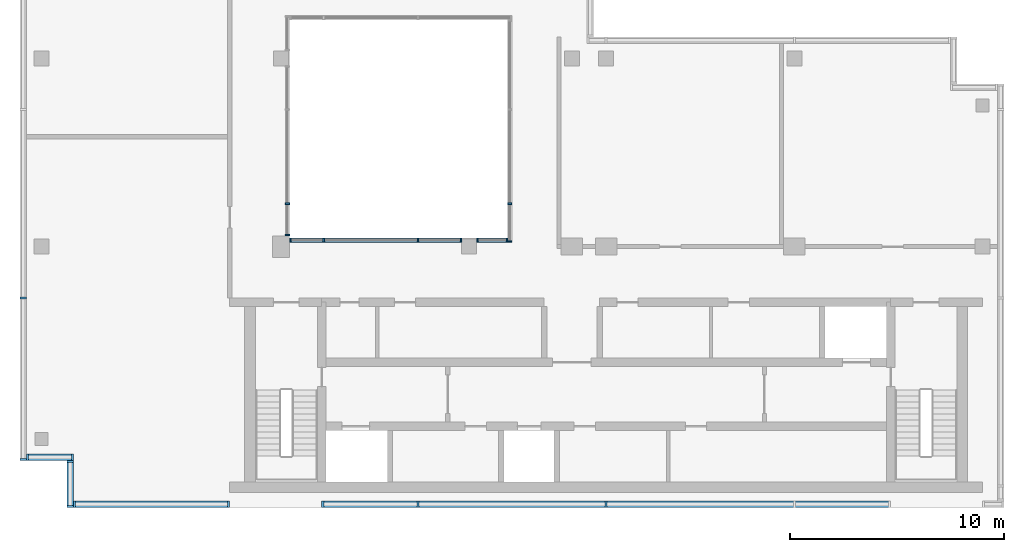
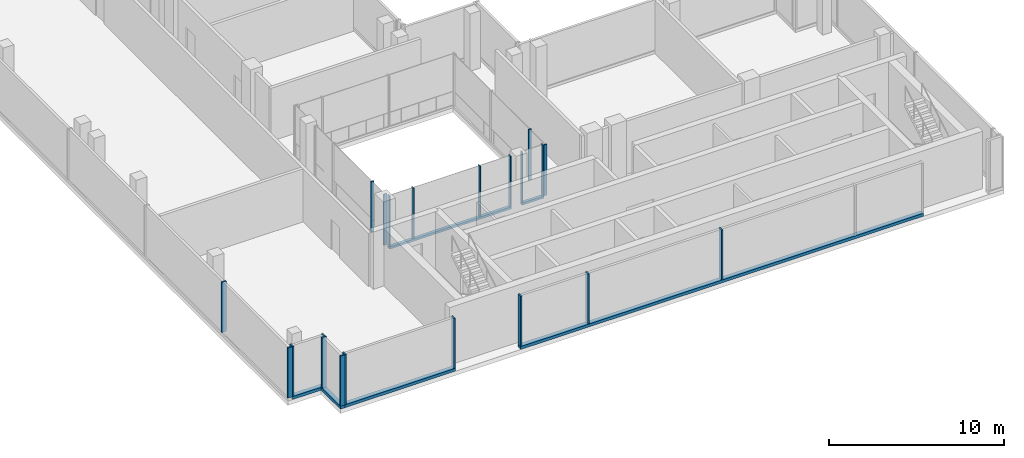
# One storey, part 2 of 11: 27 members, 9 elements without a shape of their own.
"""IFC4 building model written with IfcOpenShell, lengths in metres."""

from ifc_helpers import new_model, si_unit, direction, frame, origin, origin_2d, place, context, subcontext, project, spatial, rectangle, extrude, source, transform, mapped, material, material_profile, profile_set, type_object, element, aggregate, save


model = new_model("IFC4")

# Units and contexts
model_context = context("Model", 3, precision=1e-05, world=origin(), true_north=direction((0.0, 1.0)))
body_context = subcontext(model_context, "Body", "Model", "MODEL_VIEW")
ifc_project = project(units=[si_unit("LENGTHUNIT", "METRE"), si_unit("AREAUNIT", "SQUARE_METRE"), si_unit("VOLUMEUNIT", "CUBIC_METRE"), si_unit("PLANEANGLEUNIT", "RADIAN"), si_unit("MASSUNIT", "GRAM", prefix="KILO")], contexts=[model_context])

# Site, building, storey
site_placement = place(None, origin())
site = spatial("IfcSite", under=ifc_project, at=site_placement, CompositionType="ELEMENT")
building_placement = place(site_placement, origin())
building = spatial("IfcBuilding", under=site, at=building_placement, Name="Kemantara Hotel Tower", CompositionType="ELEMENT")
storey_placement = place(building_placement, frame((0.0, 0.0, 326.199951171875)))
storey = spatial("IfcBuildingStorey", under=building, at=storey_placement, Name="L82", CompositionType="ELEMENT", Elevation=326.199951171875)

# Curtain wall, member
ifc_material_1 = material(Name="Clear low-iron laminated glass 36 mm", Category="glass")
curtain_wall_type_1 = type_object("IfcCurtainWallType", Name="ATRIUM GLAZING WALL", PredefinedType="USERDEFINED", material=ifc_material_1)
curtain_wall_1_placement = place(storey_placement, origin())
curtain_wall_1 = element("IfcCurtainWall", 1, at=curtain_wall_1_placement, inside=storey, type_object=curtain_wall_type_1, Name="CW5 L82 ATR-R2-1", ObjectType="ATRIUM GLAZING WALL", PredefinedType="USERDEFINED")
ifc_material_2 = material(Name="Aluminium 6063-T6 bronze anodised", Category="aluminium")
ifc_material_profile_1 = material_profile(ifc_material_2, rectangle(XDim=0.199951171875, YDim=0.14990234375, at=origin_2d()), Name="ATRIUM GLAZING WALL TRANSOM")
ifc_profile_set_1 = profile_set([ifc_material_profile_1], Name="Aluminium 6063-T6 bronze anodised")
member_type_1 = type_object("IfcMemberType", Name="ATRIUM GLAZING WALL TRANSOM", PredefinedType="USERDEFINED", material=ifc_profile_set_1)
member_1_placement = place(storey_placement, frame((22.800048828125, 12.5, 0.074951171875), z_axis=(-1.0, 0.0, 0.0), x_axis=(0.0, -1.0, 0.0)))
member_1 = element("IfcMember", 2, at=member_1_placement, type_object=member_type_1, Name="CW5 sill transom ATR-R2-1", ObjectType="TRANSOM", PredefinedType="USERDEFINED", context=body_context, shape_type="SweptSolid", body=[
    extrude(rectangle(XDim=0.199951171875, YDim=0.14990234375, at=origin_2d()), origin(), (0.0, 0.0, 1.0), 1.449951171875),
])

curtain_wall_2_placement = place(storey_placement, origin())
curtain_wall_2 = element("IfcCurtainWall", 3, at=curtain_wall_2_placement, inside=storey, type_object=curtain_wall_type_1, Name="CW5 L82 ATR-R2-2", ObjectType="ATRIUM GLAZING WALL", PredefinedType="USERDEFINED")
member_2_placement = place(storey_placement, frame((20.64990234375, 12.5, 0.074951171875), z_axis=(-1.0, 0.0, 0.0), x_axis=(0.0, -1.0, 0.0)))
member_2 = element("IfcMember", 4, at=member_2_placement, type_object=member_type_1, Name="CW5 sill transom ATR-R2-2", ObjectType="TRANSOM", PredefinedType="USERDEFINED", context=body_context, shape_type="SweptSolid", body=[
    extrude(rectangle(XDim=0.199951171875, YDim=0.14990234375, at=origin_2d()), origin(), (0.0, 0.0, 1.0), 8.0498046875),
])

curtain_wall_type_2 = type_object("IfcCurtainWallType", Name="CROWN LOUVRE SCREEN WALL", PredefinedType="USERDEFINED", material=ifc_material_2)
curtain_wall_3_placement = place(storey_placement, origin())
curtain_wall_3 = element("IfcCurtainWall", 5, at=curtain_wall_3_placement, inside=storey, type_object=curtain_wall_type_2, Name="CW7 L82 CRN-R08-1", ObjectType="CROWN LOUVRE SCREEN WALL", PredefinedType="USERDEFINED")
ifc_material_profile_2 = material_profile(ifc_material_2, rectangle(XDim=0.300048828125, YDim=0.199951171875, at=origin_2d()), Name="CROWN LOUVRE SCREEN WALL TRANSOM")
ifc_profile_set_2 = profile_set([ifc_material_profile_2], Name="Aluminium 6063-T6 bronze anodised")
member_type_2 = type_object("IfcMemberType", Name="CROWN LOUVRE SCREEN WALL TRANSOM", PredefinedType="USERDEFINED", material=ifc_profile_set_2)
member_3_placement = place(storey_placement, frame((2.5, 0.14990234375, 0.10009765625), z_axis=(1.0, 0.0, 0.0), x_axis=(0.0, 1.0, 0.0)))
member_3 = element("IfcMember", 6, at=member_3_placement, type_object=member_type_2, Name="CW7 sill transom CRN-R08-1", ObjectType="TRANSOM", PredefinedType="USERDEFINED", context=body_context, shape_type="SweptSolid", body=[
    extrude(rectangle(XDim=0.300048828125, YDim=0.199951171875, at=origin_2d()), origin(), (0.0, 0.0, 1.0), 7.300048828125),
])

curtain_wall_4_placement = place(storey_placement, origin())
curtain_wall_4 = element("IfcCurtainWall", 7, at=curtain_wall_4_placement, inside=storey, type_object=curtain_wall_type_2, Name="CW7 L82 CRN-R08-2", ObjectType="CROWN LOUVRE SCREEN WALL", PredefinedType="USERDEFINED")
member_4_placement = place(storey_placement, frame((14.10009765625, 0.14990234375, 0.10009765625), z_axis=(1.0, 0.0, 0.0), x_axis=(0.0, 1.0, 0.0)))
member_4 = element("IfcMember", 8, at=member_4_placement, type_object=member_type_2, Name="CW7 sill transom CRN-R08-2", ObjectType="TRANSOM", PredefinedType="USERDEFINED", context=body_context, shape_type="SweptSolid", body=[
    extrude(rectangle(XDim=0.300048828125, YDim=0.199951171875, at=origin_2d()), origin(), (0.0, 0.0, 1.0), 26.599853515625),
])

curtain_wall_5_placement = place(storey_placement, origin())
curtain_wall_5 = element("IfcCurtainWall", 9, at=curtain_wall_5_placement, inside=storey, type_object=curtain_wall_type_2, Name="CW7 L82 CRN-R06-1", ObjectType="CROWN LOUVRE SCREEN WALL", PredefinedType="USERDEFINED")
member_5_placement = place(storey_placement, frame((0.300048828125, 2.35009765625, 0.10009765625), z_axis=(1.0, 0.0, 0.0), x_axis=(0.0, 1.0, 0.0)))
member_5 = element("IfcMember", 10, at=member_5_placement, type_object=member_type_2, Name="CW7 sill transom CRN-R06-1", ObjectType="TRANSOM", PredefinedType="USERDEFINED", context=body_context, shape_type="SweptSolid", body=[
    extrude(rectangle(XDim=0.300048828125, YDim=0.199951171875, at=origin_2d()), origin(), (0.0, 0.0, 1.0), 2.199951171875),
])

curtain_wall_6_placement = place(storey_placement, origin())
curtain_wall_6 = element("IfcCurtainWall", 11, at=curtain_wall_6_placement, inside=storey, type_object=curtain_wall_type_2, Name="CW7 L82 CRN-R07-1", ObjectType="CROWN LOUVRE SCREEN WALL", PredefinedType="USERDEFINED")
member_6_placement = place(storey_placement, frame((2.35009765625, 2.199951171875, 0.10009765625), z_axis=(0.0, -1.0, 0.0), x_axis=(1.0, 0.0, 0.0)))
member_6 = element("IfcMember", 12, at=member_6_placement, type_object=member_type_2, Name="CW7 sill transom CRN-R07-1", ObjectType="TRANSOM", PredefinedType="USERDEFINED", context=body_context, shape_type="SweptSolid", body=[
    extrude(rectangle(XDim=0.300048828125, YDim=0.199951171875, at=origin_2d()), origin(), (0.0, 0.0, 1.0), 2.199951171875),
])

# Curtain wall, members
curtain_wall_7_placement = place(storey_placement, origin())
curtain_wall_7 = element("IfcCurtainWall", 13, at=curtain_wall_7_placement, inside=storey, type_object=curtain_wall_type_2, Name="CW7 L82 CRN-R05-1", ObjectType="CROWN LOUVRE SCREEN WALL", PredefinedType="USERDEFINED")
ifc_material_profile_3 = material_profile(ifc_material_2, rectangle(XDim=0.300048828125, YDim=0.10009765625, at=origin_2d()), Name="CROWN LOUVRE SCREEN WALL MULLION")
ifc_profile_set_3 = profile_set([ifc_material_profile_3], Name="Aluminium 6063-T6 bronze anodised")
member_type_3 = type_object("IfcMemberType", Name="CROWN LOUVRE SCREEN WALL MULLION", PredefinedType="MULLION", material=ifc_profile_set_3)
shared_shape_1 = source(origin(), body_context, "Body", "SweptSolid", [
    extrude(rectangle(XDim=0.300048828125, YDim=0.10009765625, at=origin_2d()), origin(), (0.0, 0.0, 1.0), 3.5),
])
member_7_placement = place(storey_placement, frame((0.14990234375, 9.800048828125, 0.199951171875), z_axis=(0.0, 0.0, 1.0), x_axis=(1.0, 0.0, 0.0)))
member_7 = element("IfcMember", 14, at=member_7_placement, type_object=member_type_3, Name="CW7 mullion CRN-R05-1.7", PredefinedType="MULLION", context=body_context, shape_type="MappedRepresentation", body=[
    mapped(shared_shape_1, transform((0.0, 0.0, 0.0))),
])
member_8_placement = place(storey_placement, frame((0.14990234375, 2.25, 0.199951171875), z_axis=(0.0, 0.0, 1.0), x_axis=(1.0, 0.0, 0.0)))
member_8 = element("IfcMember", 15, at=member_8_placement, type_object=member_type_3, Name="CW7 mullion CRN-R05-1.8", PredefinedType="MULLION", context=body_context, shape_type="MappedRepresentation", body=[
    mapped(shared_shape_1, transform((0.0, 0.0, 0.0))),
])
aggregate(curtain_wall_7, [member_7, member_8])

# Member
member_9_placement = place(storey_placement, frame((2.550048828125, 0.14990234375, 0.199951171875), z_axis=(0.0, 0.0, 1.0), x_axis=(0.0, 1.0, 0.0)))
member_9 = element("IfcMember", 16, at=member_9_placement, type_object=member_type_3, Name="CW7 mullion CRN-R08-1.1", PredefinedType="MULLION", context=body_context, shape_type="MappedRepresentation", body=[
    mapped(shared_shape_1, transform((0.0, 0.0, 0.0))),
])

member_10_placement = place(storey_placement, frame((9.75, 0.14990234375, 0.199951171875), z_axis=(0.0, 0.0, 1.0), x_axis=(0.0, 1.0, 0.0)))
member_10 = element("IfcMember", 17, at=member_10_placement, type_object=member_type_3, Name="CW7 mullion CRN-R08-1.2", PredefinedType="MULLION", context=body_context, shape_type="MappedRepresentation", body=[
    mapped(shared_shape_1, transform((0.0, 0.0, 0.0))),
])

aggregate(curtain_wall_3, [member_3, member_9, member_10])

member_11_placement = place(storey_placement, frame((14.14990234375, 0.14990234375, 0.199951171875), z_axis=(0.0, 0.0, 1.0), x_axis=(0.0, 1.0, 0.0)))
member_11 = element("IfcMember", 18, at=member_11_placement, type_object=member_type_3, Name="CW7 mullion CRN-R08-2.1", PredefinedType="MULLION", context=body_context, shape_type="MappedRepresentation", body=[
    mapped(shared_shape_1, transform((0.0, 0.0, 0.0))),
])

member_12_placement = place(storey_placement, frame((18.60009765625, 0.14990234375, 0.199951171875), z_axis=(0.0, 0.0, 1.0), x_axis=(0.0, 1.0, 0.0)))
member_12 = element("IfcMember", 19, at=member_12_placement, type_object=member_type_3, Name="CW7 mullion CRN-R08-2.2", PredefinedType="MULLION", context=body_context, shape_type="MappedRepresentation", body=[
    mapped(shared_shape_1, transform((0.0, 0.0, 0.0))),
])

member_13_placement = place(storey_placement, frame((27.39990234375, 0.14990234375, 0.199951171875), z_axis=(0.0, 0.0, 1.0), x_axis=(0.0, 1.0, 0.0)))
member_13 = element("IfcMember", 20, at=member_13_placement, type_object=member_type_3, Name="CW7 mullion CRN-R08-2.3", PredefinedType="MULLION", context=body_context, shape_type="MappedRepresentation", body=[
    mapped(shared_shape_1, transform((0.0, 0.0, 0.0))),
])

aggregate(curtain_wall_4, [member_4, member_11, member_12, member_13])

member_14_placement = place(storey_placement, frame((0.35009765625, 2.35009765625, 0.199951171875), z_axis=(0.0, 0.0, 1.0), x_axis=(0.0, 1.0, 0.0)))
member_14 = element("IfcMember", 21, at=member_14_placement, type_object=member_type_3, Name="CW7 mullion CRN-R06-1.1", PredefinedType="MULLION", context=body_context, shape_type="MappedRepresentation", body=[
    mapped(shared_shape_1, transform((0.0, 0.0, 0.0))),
])

member_15_placement = place(storey_placement, frame((2.449951171875, 2.35009765625, 0.199951171875), z_axis=(0.0, 0.0, 1.0), x_axis=(0.0, 1.0, 0.0)))
member_15 = element("IfcMember", 22, at=member_15_placement, type_object=member_type_3, Name="CW7 mullion CRN-R06-1.2", PredefinedType="MULLION", context=body_context, shape_type="MappedRepresentation", body=[
    mapped(shared_shape_1, transform((0.0, 0.0, 0.0))),
])

aggregate(curtain_wall_5, [member_5, member_14, member_15])

member_16_placement = place(storey_placement, frame((2.35009765625, 2.14990234375, 0.199951171875), z_axis=(0.0, 0.0, 1.0), x_axis=(1.0, 0.0, 0.0)))
member_16 = element("IfcMember", 23, at=member_16_placement, type_object=member_type_3, Name="CW7 mullion CRN-R07-1.1", PredefinedType="MULLION", context=body_context, shape_type="MappedRepresentation", body=[
    mapped(shared_shape_1, transform((0.0, 0.0, 0.0))),
])

member_17_placement = place(storey_placement, frame((2.35009765625, 0.050048828125, 0.199951171875), z_axis=(0.0, 0.0, 1.0), x_axis=(1.0, 0.0, 0.0)))
member_17 = element("IfcMember", 24, at=member_17_placement, type_object=member_type_3, Name="CW7 mullion CRN-R07-1.2", PredefinedType="MULLION", context=body_context, shape_type="MappedRepresentation", body=[
    mapped(shared_shape_1, transform((0.0, 0.0, 0.0))),
])

aggregate(curtain_wall_6, [member_6, member_16, member_17])

# Curtain wall, members
curtain_wall_8_placement = place(storey_placement, origin())
curtain_wall_8 = element("IfcCurtainWall", 25, at=curtain_wall_8_placement, inside=storey, type_object=curtain_wall_type_1, Name="CW5 L82 ATR-R1-1", ObjectType="ATRIUM GLAZING WALL", PredefinedType="USERDEFINED")
ifc_material_profile_4 = material_profile(ifc_material_2, rectangle(XDim=0.199951171875, YDim=0.074951171875, at=origin_2d()), Name="ATRIUM GLAZING WALL MULLION")
ifc_profile_set_4 = profile_set([ifc_material_profile_4], Name="Aluminium 6063-T6 bronze anodised")
member_type_4 = type_object("IfcMemberType", Name="ATRIUM GLAZING WALL MULLION", PredefinedType="MULLION", material=ifc_profile_set_4)
shared_shape_2 = source(origin(), body_context, "Body", "SweptSolid", [
    extrude(rectangle(XDim=0.199951171875, YDim=0.074951171875, at=origin_2d()), origin(), (0.0, 0.0, 1.0), 3.5498046875),
])
member_18_placement = place(storey_placement, frame((22.89990234375, 14.199951171875, 0.150146484375), z_axis=(0.0, 0.0, 1.0), x_axis=(1.0, 0.0, 0.0)))
member_18 = element("IfcMember", 26, at=member_18_placement, type_object=member_type_4, Name="CW5 mullion ATR-R1-1.3", PredefinedType="MULLION", context=body_context, shape_type="MappedRepresentation", body=[
    mapped(shared_shape_2, transform((0.0, 0.0, 0.0))),
])
member_19_placement = place(storey_placement, frame((22.89990234375, 12.4375, 0.150146484375), z_axis=(0.0, 0.0, 1.0), x_axis=(1.0, 0.0, 0.0)))
member_19 = element("IfcMember", 27, at=member_19_placement, type_object=member_type_4, Name="CW5 mullion ATR-R1-1.4", PredefinedType="MULLION", context=body_context, shape_type="MappedRepresentation", body=[
    mapped(shared_shape_2, transform((0.0, 0.0, 0.0))),
])
aggregate(curtain_wall_8, [member_18, member_19])

# Member
member_20_placement = place(storey_placement, frame((22.762451171875, 12.5, 0.150146484375), z_axis=(0.0, 0.0, 1.0), x_axis=(0.0, -1.0, 0.0)))
member_20 = element("IfcMember", 28, at=member_20_placement, type_object=member_type_4, Name="CW5 mullion ATR-R2-1.1", PredefinedType="MULLION", context=body_context, shape_type="MappedRepresentation", body=[
    mapped(shared_shape_2, transform((0.0, 0.0, 0.0))),
])

member_21_placement = place(storey_placement, frame((21.387451171875, 12.5, 0.150146484375), z_axis=(0.0, 0.0, 1.0), x_axis=(0.0, -1.0, 0.0)))
member_21 = element("IfcMember", 29, at=member_21_placement, type_object=member_type_4, Name="CW5 mullion ATR-R2-1.2", PredefinedType="MULLION", context=body_context, shape_type="MappedRepresentation", body=[
    mapped(shared_shape_2, transform((0.0, 0.0, 0.0))),
])

aggregate(curtain_wall_1, [member_1, member_20, member_21])

member_22_placement = place(storey_placement, frame((20.612548828125, 12.5, 0.150146484375), z_axis=(0.0, 0.0, 1.0), x_axis=(0.0, -1.0, 0.0)))
member_22 = element("IfcMember", 30, at=member_22_placement, type_object=member_type_4, Name="CW5 mullion ATR-R2-2.1", PredefinedType="MULLION", context=body_context, shape_type="MappedRepresentation", body=[
    mapped(shared_shape_2, transform((0.0, 0.0, 0.0))),
])

member_23_placement = place(storey_placement, frame((18.60009765625, 12.5, 0.150146484375), z_axis=(0.0, 0.0, 1.0), x_axis=(0.0, -1.0, 0.0)))
member_23 = element("IfcMember", 31, at=member_23_placement, type_object=member_type_4, Name="CW5 mullion ATR-R2-2.2", PredefinedType="MULLION", context=body_context, shape_type="MappedRepresentation", body=[
    mapped(shared_shape_2, transform((0.0, 0.0, 0.0))),
])

member_24_placement = place(storey_placement, frame((14.199951171875, 12.5, 0.150146484375), z_axis=(0.0, 0.0, 1.0), x_axis=(0.0, -1.0, 0.0)))
member_24 = element("IfcMember", 32, at=member_24_placement, type_object=member_type_4, Name="CW5 mullion ATR-R2-2.3", PredefinedType="MULLION", context=body_context, shape_type="MappedRepresentation", body=[
    mapped(shared_shape_2, transform((0.0, 0.0, 0.0))),
])

member_25_placement = place(storey_placement, frame((12.637451171875, 12.5, 0.150146484375), z_axis=(0.0, 0.0, 1.0), x_axis=(0.0, -1.0, 0.0)))
member_25 = element("IfcMember", 33, at=member_25_placement, type_object=member_type_4, Name="CW5 mullion ATR-R2-2.4", PredefinedType="MULLION", context=body_context, shape_type="MappedRepresentation", body=[
    mapped(shared_shape_2, transform((0.0, 0.0, 0.0))),
])

aggregate(curtain_wall_2, [member_2, member_22, member_23, member_24, member_25])

# Curtain wall, members
curtain_wall_9_placement = place(storey_placement, origin())
curtain_wall_9 = element("IfcCurtainWall", 34, at=curtain_wall_9_placement, inside=storey, type_object=curtain_wall_type_1, Name="CW5 L82 ATR-R3-1", ObjectType="ATRIUM GLAZING WALL", PredefinedType="USERDEFINED")
member_26_placement = place(storey_placement, frame((12.5, 12.737548828125, 0.150146484375), z_axis=(0.0, 0.0, 1.0), x_axis=(-1.0, 0.0, 0.0)))
member_26 = element("IfcMember", 35, at=member_26_placement, type_object=member_type_4, Name="CW5 mullion ATR-R3-1.1", PredefinedType="MULLION", context=body_context, shape_type="MappedRepresentation", body=[
    mapped(shared_shape_2, transform((0.0, 0.0, 0.0))),
])
member_27_placement = place(storey_placement, frame((12.5, 14.199951171875, 0.150146484375), z_axis=(0.0, 0.0, 1.0), x_axis=(-1.0, 0.0, 0.0)))
member_27 = element("IfcMember", 36, at=member_27_placement, type_object=member_type_4, Name="CW5 mullion ATR-R3-1.2", PredefinedType="MULLION", context=body_context, shape_type="MappedRepresentation", body=[
    mapped(shared_shape_2, transform((0.0, 0.0, 0.0))),
])
aggregate(curtain_wall_9, [member_26, member_27])

save(model, "model.ifc")
